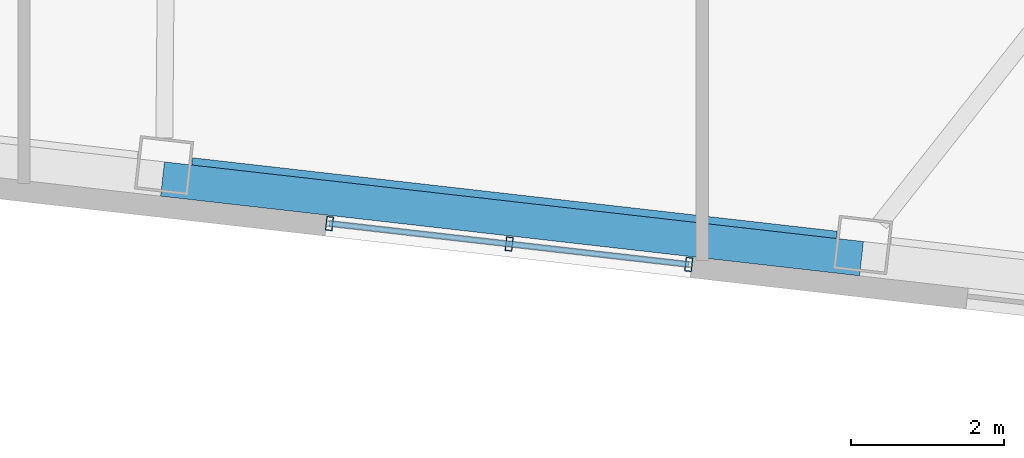
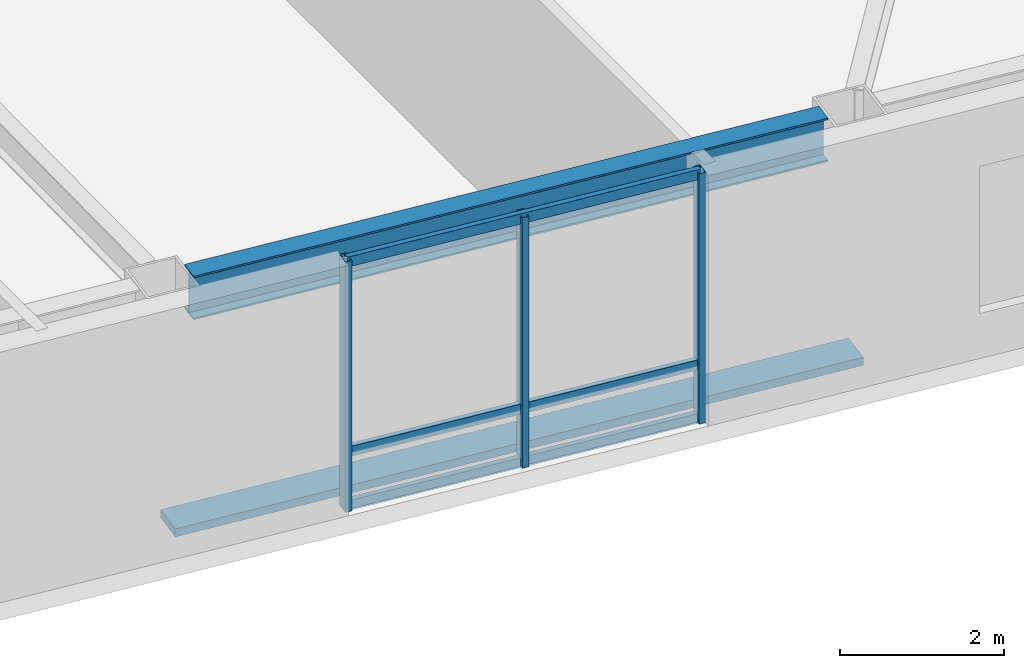
# One storey, part 6 of 21: 7 members, 1 beam, 1 element without a shape of its own.
"""IFC4 building model written with IfcOpenShell, lengths in metres."""

from ifc_helpers import new_model, si_unit, direction, frame, origin, origin_2d, place, context, subcontext, project, spatial, rectangle, hollow_rectangle, i_section, extrude, material, layer, layer_set, material_profile, profile_set, type_object, element, aggregate, save


model = new_model("IFC4")

# Units and contexts
model_context = context("Model", 3, precision=1e-05, world=origin(), true_north=direction((0.0, 1.0)))
body_context = subcontext(model_context, "Body", "Model", "MODEL_VIEW")
ifc_project = project(units=[si_unit("LENGTHUNIT", "METRE"), si_unit("AREAUNIT", "SQUARE_METRE"), si_unit("VOLUMEUNIT", "CUBIC_METRE"), si_unit("PLANEANGLEUNIT", "RADIAN"), si_unit("MASSUNIT", "GRAM", prefix="KILO")], contexts=[model_context])

# Site, building, storey
site_placement = place(None, origin())
site = spatial("IfcSite", under=ifc_project, at=site_placement, CompositionType="ELEMENT")
building_placement = place(site_placement, origin())
building = spatial("IfcBuilding", under=site, at=building_placement, Name="Tavrogorsk Clinical Tower", CompositionType="ELEMENT")
storey_placement = place(building_placement, frame((0.0, 0.0, 121.39990234375)))
storey = spatial("IfcBuildingStorey", under=building, at=storey_placement, Name="L27", CompositionType="ELEMENT", Elevation=121.39990234375)

# Member
ifc_material_1 = material(Name="Anodised aluminium alloy AW-6063", Category="aluminium")
ifc_material_profile_1 = material_profile(ifc_material_1, rectangle(XDim=0.449951171875, YDim=0.1201171875, at=origin_2d()), Name="ALU-SUNSHADE-450x120")
ifc_profile_set_1 = profile_set([ifc_material_profile_1], Name="Anodised aluminium alloy AW-6063")
member_type_1 = type_object("IfcMemberType", Name="ChicagoSunshade_450x120", PredefinedType="USERDEFINED", material=ifc_profile_set_1)
member_1_placement = place(storey_placement, frame((4.208251953125, -26.463134765625, 0.18017578125), z_axis=(0.993569662511, -0.113222461274, 0.0), x_axis=(0.113222461274, 0.993569662511, 0.0)))
element("IfcMember", 1, at=member_1_placement, inside=storey, type_object=member_type_1, Name="L27 South Aluminium Sunshade S5", ObjectType="SUNSHADE", PredefinedType="USERDEFINED", context=body_context, shape_type="SweptSolid", body=[
    extrude(rectangle(XDim=0.449951171875, YDim=0.1201171875, at=origin_2d()), origin(), (0.0, 0.0, 1.0), 9.17724609375),
])

# Curtain wall, members
ifc_material_2 = material(Name="Anodised aluminium and triple IGU glazing", Category="aluminium")
ifc_layer = layer(ifc_material_2, 0.179931640625)
ifc_layer_set = layer_set([ifc_layer], Name="Anodised aluminium and triple IGU glazing")
curtain_wall_type = type_object("IfcCurtainWallType", Name="CW3_SouthSlot", PredefinedType="NOTDEFINED", material=ifc_layer_set)
curtain_wall_placement = place(storey_placement, origin())
curtain_wall = element("IfcCurtainWall", 2, at=curtain_wall_placement, inside=storey, type_object=curtain_wall_type, Name="L27 Curtain Wall CW-L27-S-SLOT-2", PredefinedType="NOTDEFINED")
ifc_material_3 = material(Name="Anodised aluminium alloy AW-6060", Category="aluminium")
ifc_material_profile_2 = material_profile(ifc_material_3, hollow_rectangle(XDim=0.090087890625, YDim=0.179931640625, WallThickness=0.00634765625, at=origin_2d()), Name="RHS-180x90x6.3")
ifc_profile_set_2 = profile_set([ifc_material_profile_2], Name="Anodised aluminium alloy AW-6060")
member_type_2 = type_object("IfcMemberType", Name="CwMullion_180x90", PredefinedType="MULLION", material=ifc_profile_set_2)
member_2_placement = place(storey_placement, frame((6.38623046875, -27.04345703125, 0.0), z_axis=(0.0, 0.0, 1.0), x_axis=(0.993571858269, -0.113203191016, 0.0)))
member_2 = element("IfcMember", 3, at=member_2_placement, type_object=member_type_2, Name="CW-L27-S-SLOT-2 Mullion 1", PredefinedType="MULLION", context=body_context, shape_type="SweptSolid", body=[
    extrude(hollow_rectangle(XDim=0.090087890625, YDim=0.179931640625, WallThickness=0.00634765625, at=origin_2d()), origin(), (0.0, 0.0, 1.0), 3.739990234375),
])
member_3_placement = place(storey_placement, frame((8.72998046875, -27.310546875, 0.0), z_axis=(0.0, 0.0, 1.0), x_axis=(0.993571858269, -0.113203191016, 0.0)))
member_3 = element("IfcMember", 4, at=member_3_placement, type_object=member_type_2, Name="CW-L27-S-SLOT-2 Mullion 2", PredefinedType="MULLION", context=body_context, shape_type="SweptSolid", body=[
    extrude(hollow_rectangle(XDim=0.090087890625, YDim=0.179931640625, WallThickness=0.00634765625, at=origin_2d()), origin(), (0.0, 0.0, 1.0), 3.739990234375),
])
member_4_placement = place(storey_placement, frame((11.07373046875, -27.57763671875, 0.0), z_axis=(0.0, 0.0, 1.0), x_axis=(0.993571858269, -0.113203191016, 0.0)))
member_4 = element("IfcMember", 5, at=member_4_placement, type_object=member_type_2, Name="CW-L27-S-SLOT-2 Mullion 3", PredefinedType="MULLION", context=body_context, shape_type="SweptSolid", body=[
    extrude(hollow_rectangle(XDim=0.090087890625, YDim=0.179931640625, WallThickness=0.00634765625, at=origin_2d()), origin(), (0.0, 0.0, 1.0), 3.739990234375),
])
ifc_material_4 = material(Name="Anodised aluminium alloy AW-6060", Category="aluminium")
ifc_material_profile_3 = material_profile(ifc_material_4, hollow_rectangle(XDim=0.074951171875, YDim=0.14990234375, WallThickness=0.0048828125, at=origin_2d()), Name="RHS-150x75x5")
ifc_profile_set_3 = profile_set([ifc_material_profile_3], Name="Anodised aluminium alloy AW-6060")
member_type_3 = type_object("IfcMemberType", Name="CwTransom_150x75", PredefinedType="USERDEFINED", material=ifc_profile_set_3)
member_5_placement = place(storey_placement, frame((6.38623046875, -27.04345703125, 0.050048828125), z_axis=(0.993569315854, -0.113225503286, 0.0), x_axis=(0.113225503286, 0.993569315854, 0.0)))
member_5 = element("IfcMember", 6, at=member_5_placement, type_object=member_type_3, Name="CW-L27-S-SLOT-2 Transom 1", ObjectType="TRANSOM", PredefinedType="USERDEFINED", context=body_context, shape_type="SweptSolid", body=[
    extrude(hollow_rectangle(XDim=0.074951171875, YDim=0.14990234375, WallThickness=0.0048828125, at=origin_2d()), origin(), (0.0, 0.0, 1.0), 4.7177734375),
])
member_6_placement = place(storey_placement, frame((6.38623046875, -27.04345703125, 0.85009765625), z_axis=(0.993569315854, -0.113225503286, 0.0), x_axis=(0.113225503286, 0.993569315854, 0.0)))
member_6 = element("IfcMember", 7, at=member_6_placement, type_object=member_type_3, Name="CW-L27-S-SLOT-2 Transom 2", ObjectType="TRANSOM", PredefinedType="USERDEFINED", context=body_context, shape_type="SweptSolid", body=[
    extrude(hollow_rectangle(XDim=0.074951171875, YDim=0.14990234375, WallThickness=0.0048828125, at=origin_2d()), origin(), (0.0, 0.0, 1.0), 4.7177734375),
])
member_7_placement = place(storey_placement, frame((6.38623046875, -27.04345703125, 3.690185546875), z_axis=(0.993569315854, -0.113225503286, 0.0), x_axis=(0.113225503286, 0.993569315854, 0.0)))
member_7 = element("IfcMember", 8, at=member_7_placement, type_object=member_type_3, Name="CW-L27-S-SLOT-2 Transom 3", ObjectType="TRANSOM", PredefinedType="USERDEFINED", context=body_context, shape_type="SweptSolid", body=[
    extrude(hollow_rectangle(XDim=0.074951171875, YDim=0.14990234375, WallThickness=0.0048828125, at=origin_2d()), origin(), (0.0, 0.0, 1.0), 4.7177734375),
])
aggregate(curtain_wall, [member_2, member_3, member_4, member_5, member_6, member_7])

# Beam
ifc_material_5 = material(Name="Structural steel S390", Category="steel")
ifc_material_profile_4 = material_profile(ifc_material_5, i_section(OverallWidth=0.280029296875, OverallDepth=0.64990234375, WebThickness=0.01611328125, FlangeThickness=0.02490234375, at=origin_2d()), Name="B-650x280x16x25")
ifc_profile_set_4 = profile_set([ifc_material_profile_4], Name="Structural steel S390")
beam_type = type_object("IfcBeamType", Name="SpandrelBeam_B650", PredefinedType="SPANDREL", material=ifc_profile_set_4)
beam_placement = place(storey_placement, frame((4.584228515625, -26.324951171875, 3.4150390625), z_axis=(0.99357306506, -0.113192598642, 0.0), x_axis=(0.113192598642, 0.99357306506, 0.0)))
element("IfcBeam", 9, at=beam_placement, inside=storey, type_object=beam_type, Name="L27 Perimeter Spandrel S5-S6", PredefinedType="SPANDREL", context=body_context, shape_type="SweptSolid", body=[
    extrude(i_section(OverallWidth=0.280029296875, OverallDepth=0.64990234375, WebThickness=0.01611328125, FlangeThickness=0.02490234375, at=origin_2d()), origin(), (0.0, 0.0, 1.0), 8.46142578125),
])

save(model, "model.ifc")
